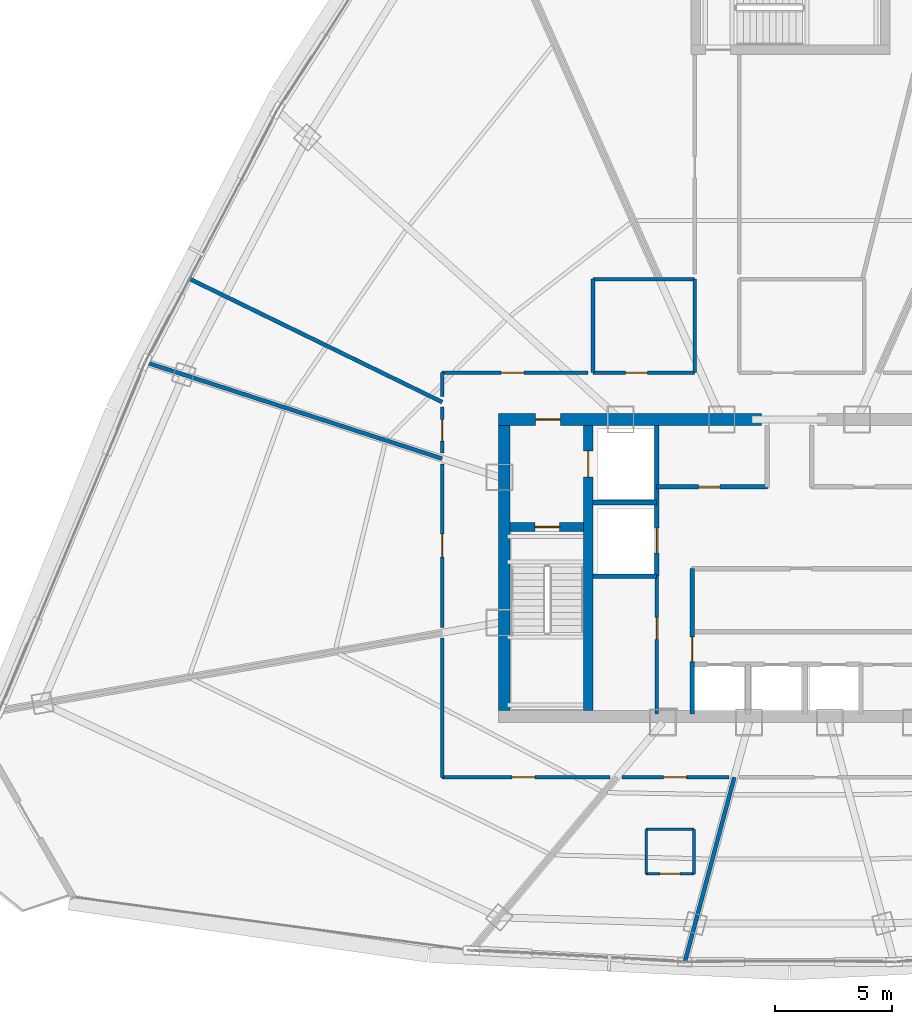
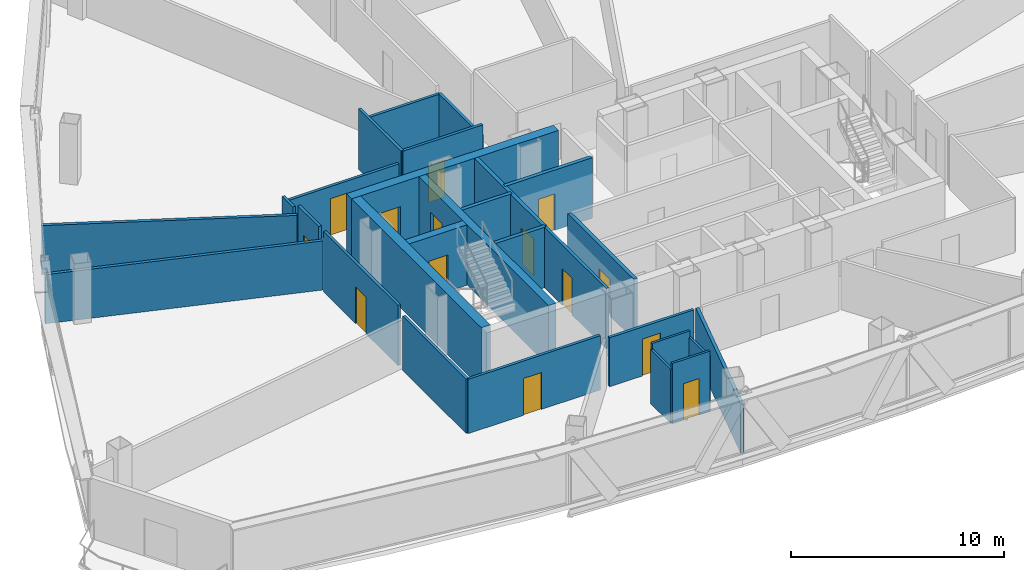
# One storey, part 30 of 37: 28 walls, 14 doors, 14 openings.
"""IFC4 building model written with IfcOpenShell, lengths in metres."""

import ifcopenshell
import ifcopenshell.guid

model = None  # the IFC model being written
_history = None  # IfcOwnerHistory: only IFC2X3 demands one
_inside = {}  # id of a spatial element -> (the spatial element, [elements in it])
_under = {}  # id of a project, library or spatial element -> (it, [spatial elements below it])
_declared = {}  # id of a project -> (the project, [libraries it declares])
_typed = {}  # id of a type object -> (the type object, [elements of that type])
_made_of = {}  # id of a material, layer set ... -> (it, [elements and type objects made of it])


def new_model(schema):
    """Start an empty IFC model of exactly this schema.

    Asked for "IFC4X3", IfcOpenShell would pick the latest addendum, in which some entities
    have other attributes; the version numbers below select the first issue.
    IFC2X3 requires an IfcOwnerHistory on every rooted entity: one is made here for all.
    """
    global model, _history
    if schema == "IFC4X3":
        model = ifcopenshell.file(schema_version=(4, 3, 0, 0))
    else:
        model = ifcopenshell.file(schema=schema)
    _inside.clear()
    _under.clear()
    _declared.clear()
    _typed.clear()
    _made_of.clear()
    _history = None
    if model.schema == "IFC2X3":
        org = make("IfcOrganization", Name="unknown")
        user = make(
            "IfcPersonAndOrganization",
            ThePerson=make("IfcPerson", FamilyName="unknown"),
            TheOrganization=org,
        )
        app = make(
            "IfcApplication",
            ApplicationDeveloper=org,
            Version="unknown",
            ApplicationFullName="unknown",
            ApplicationIdentifier="unknown",
        )
        _history = make(
            "IfcOwnerHistory",
            OwningUser=user,
            OwningApplication=app,
            ChangeAction="ADDED",
            CreationDate=0,
        )
    return model


def make(cls, **values):
    """One entity of the class cls with the attributes given. An attribute that is None is left unset."""
    return model.create_entity(
        cls, **{name: value for name, value in values.items() if value is not None}
    )


def rooted(cls, **values):
    """An entity with a GlobalId (a new one), such as an element, a storey or a relation."""
    return make(cls, GlobalId=ifcopenshell.guid.new(), OwnerHistory=_history, **values)


def si_unit(unit_type, name, prefix=None):
    """IfcSIUnit, for example si_unit("LENGTHUNIT", "METRE", prefix="MILLI")."""
    return make("IfcSIUnit", UnitType=unit_type, Prefix=prefix, Name=name)


def assignment(units):
    """IfcUnitAssignment: the units of a project."""
    return None if units is None else make("IfcUnitAssignment", Units=units)


def point(xyz):
    """IfcCartesianPoint."""
    return None if xyz is None else make("IfcCartesianPoint", Coordinates=xyz)


def direction(xyz):
    """IfcDirection."""
    return None if xyz is None else make("IfcDirection", DirectionRatios=xyz)


def frame(location, z_axis=None, x_axis=None):
    """IfcAxis2Placement3D, a coordinate frame: its origin and axes. An axis left out is left unset."""
    return make(
        "IfcAxis2Placement3D",
        Location=point(location),
        Axis=direction(z_axis),
        RefDirection=direction(x_axis),
    )


def frame_2d(location, x_axis=None):
    """IfcAxis2Placement2D, a coordinate frame in the plane: its origin and x axis."""
    return make(
        "IfcAxis2Placement2D", Location=point(location), RefDirection=direction(x_axis)
    )


def origin():
    """The frame at (0, 0, 0) with its axes left unset."""
    return frame((0.0, 0.0, 0.0))


def origin_with_axes():
    """The frame at (0, 0, 0) with the z axis (0, 0, 1) and the x axis (1, 0, 0) written out."""
    return frame((0.0, 0.0, 0.0), z_axis=(0.0, 0.0, 1.0), x_axis=(1.0, 0.0, 0.0))


def place(relative_to, where):
    """IfcLocalPlacement: puts the frame where relative to a parent placement (None: the world)."""
    return make(
        "IfcLocalPlacement", PlacementRelTo=relative_to, RelativePlacement=where
    )


def context(
    kind, dimensions, precision=None, world=None, true_north=None, identifier=None
):
    """IfcGeometricRepresentationContext, for example the 3D "Model" context."""
    return make(
        "IfcGeometricRepresentationContext",
        ContextIdentifier=identifier,
        ContextType=kind,
        CoordinateSpaceDimension=dimensions,
        Precision=precision,
        WorldCoordinateSystem=world,
        TrueNorth=true_north,
    )


def subcontext(parent, identifier, kind, view, scale=None):
    """IfcGeometricRepresentationSubContext, for example "Body" below "Model"."""
    return make(
        "IfcGeometricRepresentationSubContext",
        ContextIdentifier=identifier,
        ContextType=kind,
        ParentContext=parent,
        TargetScale=scale,
        TargetView=view,
    )


def project(units=None, contexts=None):
    """IfcProject with its units and contexts."""
    return rooted(
        "IfcProject",
        Name="project",
        RepresentationContexts=contexts,
        UnitsInContext=assignment(units),
    )


def spatial(cls, under=None, at=None, **own):
    """A site, building, storey or space (cls), placed at a placement, below another one or the project."""
    s = rooted(cls, ObjectPlacement=at, **own)
    if under is not None:
        _under.setdefault(under.id(), (under, []))[1].append(s)
    return s


def profile(cls, at=None, kind="AREA", **sizes):
    """A parametric profile (cls). Its sizes go by their IFC names, for example OverallWidth=200.0."""
    return make(cls, ProfileType=kind, Position=at, **sizes)


def rectangle(**sizes):
    """IfcRectangleProfileDef."""
    return profile("IfcRectangleProfileDef", **sizes)


def extrude(swept, where, along, depth):
    """IfcExtrudedAreaSolid: the profile swept, set in the frame where, extruded along a direction by depth."""
    return make(
        "IfcExtrudedAreaSolid",
        SweptArea=swept,
        Position=where,
        ExtrudedDirection=direction(along),
        Depth=depth,
    )


def shape(context_of_items, identifier, shape_type, items):
    """IfcShapeRepresentation: the items that make up one representation, for example the "Body"."""
    return make(
        "IfcShapeRepresentation",
        ContextOfItems=context_of_items,
        RepresentationIdentifier=identifier,
        RepresentationType=shape_type,
        Items=items,
    )


def source(mapping_origin, context_of_items, identifier, shape_type, items):
    """IfcRepresentationMap: a shape defined once, which mapped items show again and again."""
    return make(
        "IfcRepresentationMap",
        MappingOrigin=mapping_origin,
        MappedRepresentation=shape(context_of_items, identifier, shape_type, items),
    )


def transform(
    local_origin,
    x_axis=None,
    y_axis=None,
    z_axis=None,
    scale=None,
    scale2=None,
    scale3=None,
    uniform=True,
):
    """IfcCartesianTransformationOperator3D, or its non-uniform kind. x_axis, y_axis, z_axis: its Axis1, 2, 3."""
    if uniform:
        return make(
            "IfcCartesianTransformationOperator3D",
            Axis1=direction(x_axis),
            Axis2=direction(y_axis),
            LocalOrigin=point(local_origin),
            Scale=scale,
            Axis3=direction(z_axis),
        )
    return make(
        "IfcCartesianTransformationOperator3DnonUniform",
        Axis1=direction(x_axis),
        Axis2=direction(y_axis),
        LocalOrigin=point(local_origin),
        Scale=scale,
        Axis3=direction(z_axis),
        Scale2=scale2,
        Scale3=scale3,
    )


def mapped(mapping_source, mapping_target):
    """IfcMappedItem: shows the shape of a source again, moved by a transform."""
    return make(
        "IfcMappedItem", MappingSource=mapping_source, MappingTarget=mapping_target
    )


def material(Name=None, Category=None):
    """IfcMaterial."""
    return make("IfcMaterial", Name=Name, Category=Category)


def layer(
    of_material, thickness, ventilated=None, Name=None, Category=None, Priority=None
):
    """IfcMaterialLayer: one layer of a wall or slab, of a material (None: an air gap)."""
    return make(
        "IfcMaterialLayer",
        Material=of_material,
        LayerThickness=thickness,
        IsVentilated=ventilated,
        Name=Name,
        Category=Category,
        Priority=Priority,
    )


def layer_set(layers, Name=None):
    """IfcMaterialLayerSet."""
    return make("IfcMaterialLayerSet", MaterialLayers=layers, LayerSetName=Name)


def made_of(thing, what):
    """Note that an element or type object is made of a material, layer set ...; save() writes the relation."""
    if what is not None:
        _made_of.setdefault(what.id(), (what, []))[1].append(thing)
    return thing


def type_object(cls, material=None, **own):
    """A type object (cls), such as IfcWallType, which elements share."""
    return made_of(rooted(cls, **own), material)


def element(
    cls,
    number,
    at=None,
    inside=None,
    cuts=None,
    type_object=None,
    material=None,
    context=None,
    identifier="Body",
    shape_type=None,
    held_by="IfcProductDefinitionShape",
    body=None,
    shapes=None,
    **own,
):
    """One element of the class cls, such as IfcWall. Its Tag is "e" and its number.

    at: its placement. inside: the storey or other place that contains it. cuts: it is an
    opening in that element (IfcRelVoidsElement). A single representation is given by context,
    identifier, shape_type and body (its items); several are given by shapes. held_by: the class
    of the entity that holds the representations. save() writes the other relations.
    """
    e = rooted(cls, Tag="e%d" % number, ObjectPlacement=at, **own)
    if body is not None:
        shapes = [shape(context, identifier, shape_type, body)]
    if shapes is not None:
        e.Representation = make(held_by, Representations=shapes)
    if inside is not None:
        _inside.setdefault(inside.id(), (inside, []))[1].append(e)
    if cuts is not None:
        rooted(
            "IfcRelVoidsElement", RelatingBuildingElement=cuts, RelatedOpeningElement=e
        )
    if type_object is not None:
        _typed.setdefault(type_object.id(), (type_object, []))[1].append(e)
    return made_of(e, material)


def fill(opening, filler):
    """IfcRelFillsElement: the door or window that sits in an opening."""
    return rooted(
        "IfcRelFillsElement",
        RelatingOpeningElement=opening,
        RelatedBuildingElement=filler,
    )


def aggregate(whole, parts):
    """IfcRelAggregates: a whole, such as a stair, and the parts it consists of."""
    return rooted("IfcRelAggregates", RelatingObject=whole, RelatedObjects=parts)


def save(model, path):
    """Write the relations noted so far, then the file.

    IfcRelAggregates (storeys below a building ...), IfcRelContainedInSpatialStructure (elements
    in a storey), IfcRelDefinesByType, IfcRelAssociatesMaterial and IfcRelDeclares: one each for
    every whole, place, type object, material and project.
    """
    for whole, parts in _under.values():
        aggregate(whole, parts)
    for where, things in _inside.values():
        rooted(
            "IfcRelContainedInSpatialStructure",
            RelatedElements=things,
            RelatingStructure=where,
        )
    for kind, things in _typed.values():
        rooted("IfcRelDefinesByType", RelatedObjects=things, RelatingType=kind)
    for what, things in _made_of.values():
        rooted("IfcRelAssociatesMaterial", RelatedObjects=things, RelatingMaterial=what)
    for by, libraries in _declared.values():
        rooted("IfcRelDeclares", RelatingContext=by, RelatedDefinitions=libraries)
    model.write(path)


model = new_model("IFC4")

# Units and contexts
model_context = context("Model", 3, precision=1e-05, world=origin(), true_north=direction((0.0, 1.0)))
body_context = subcontext(model_context, "Body", "Model", "MODEL_VIEW")
ifc_project = project(units=[si_unit("LENGTHUNIT", "METRE"), si_unit("AREAUNIT", "SQUARE_METRE"), si_unit("VOLUMEUNIT", "CUBIC_METRE"), si_unit("PLANEANGLEUNIT", "RADIAN"), si_unit("MASSUNIT", "GRAM", prefix="KILO"), si_unit("THERMODYNAMICTEMPERATUREUNIT", "KELVIN"), si_unit("POWERUNIT", "WATT")], contexts=[model_context])

# Site, building, storey
site_placement = place(None, origin())
site = spatial("IfcSite", under=ifc_project, at=site_placement, CompositionType="ELEMENT")
building_placement = place(site_placement, origin())
building = spatial("IfcBuilding", under=site, at=building_placement, Name="Yunzhuo Pagoda Commons", CompositionType="ELEMENT")
storey_placement = place(building_placement, frame((0.0, 0.0, 251.989990234375)))
storey = spatial("IfcBuildingStorey", under=building, at=storey_placement, Name="L63", CompositionType="ELEMENT", Elevation=251.989990234375)

# Wall, opening, door
ifc_material_1 = material(Name="Concrete C50", Category="concrete")
ifc_layer_1 = layer(ifc_material_1, 0.5)
ifc_layer_set_1 = layer_set([ifc_layer_1], Name="Concrete C50")
wall_type_1 = type_object("IfcWallType", Name="W-C03 Upper Core Shear Wall 500", PredefinedType="SHEAR", material=ifc_layer_set_1)
wall_1_placement = place(storey_placement, frame((35.550048828125, 40.199951171875, 0.0), z_axis=(0.0, 0.0, 1.0), x_axis=(1.0, 0.0, 0.0)))
wall_1 = element("IfcWall", 1, at=wall_1_placement, inside=storey, type_object=wall_type_1, Name="L63 core shear wall NW", PredefinedType="SHEAR", context=body_context, shape_type="SweptSolid", body=[
    extrude(rectangle(XDim=11.25, YDim=0.5, at=frame_2d((5.625, 0.0))), origin(), (0.0, 0.0, 1.0), 3.469970703125),
])
opening_1_placement = place(wall_1_placement, frame((1.60009765625, 0.0, 0.0)))
opening_1 = element("IfcOpeningElement", 2, at=opening_1_placement, cuts=wall_1, Name="Opening D-02", PredefinedType="OPENING", context=body_context, shape_type="SweptSolid", body=[
    extrude(rectangle(XDim=1.050048828125, YDim=2.10009765625, at=frame_2d((0.52490234375, 1.050048828125))), frame((0.0, 0.260009765625, 0.0), z_axis=(0.0, -1.0, 0.0), x_axis=(1.0, 0.0, 0.0)), (0.0, 0.0, 1.0), 0.52001953125),
])
ifc_material_2 = material(Name="Galvanized fire-resisting metal leaf")
door_type_1 = type_object("IfcDoorType", Name="D-02 Firefighting Lobby & Refuge Fire Door 1050x2100", OperationType="NOTDEFINED", PredefinedType="DOOR", material=ifc_material_2)
shared_shape_1 = source(origin(), body_context, "Body", "SweptSolid", [
    extrude(rectangle(XDim=1.050048828125, YDim=2.10009765625, at=frame_2d((0.52490234375, 1.050048828125))), frame((0.0, 0.02490234375, 0.0), z_axis=(0.0, -1.0, 0.0), x_axis=(1.0, 0.0, 0.0)), (0.0, 0.0, 1.0), 0.050048828125),
])
door_1_placement = place(opening_1_placement, frame((1.050048828125, 0.0, 0.0), z_axis=(0.0, 0.0, 1.0), x_axis=(-1.0, 0.0, 0.0)))
door_1 = element("IfcDoor", 3, at=door_1_placement, inside=storey, type_object=door_type_1, Name="L63 Firefighting Lobby 1 fire door", OperationType="SINGLE_SWING_LEFT", OverallHeight=2.10009765625, OverallWidth=1.050048828125, PredefinedType="DOOR", context=body_context, shape_type="MappedRepresentation", body=[
    mapped(shared_shape_1, transform((0.0, 0.0, 0.0), scale=1.0)),
])
fill(opening_1, door_1)

# Wall
wall_2_placement = place(storey_placement, frame((35.800048828125, 27.75, 0.0), z_axis=(0.0, 0.0, 1.0), x_axis=(0.0, 1.0, 0.0)))
element("IfcWall", 4, at=wall_2_placement, inside=storey, type_object=wall_type_1, Name="L63 core shear wall W", PredefinedType="SHEAR", context=body_context, shape_type="SweptSolid", body=[
    extrude(rectangle(XDim=12.199951171875, YDim=0.5, at=frame_2d((6.10009765625, 0.0))), origin(), (0.0, 0.0, 1.0), 3.469970703125),
])

# Wall, opening, door
ifc_material_3 = material(Name="Gypsum plasterboard on acoustic stud")
ifc_layer_2 = layer(ifc_material_3, 0.14990234375)
ifc_layer_set_2 = layer_set([ifc_layer_2], Name="Gypsum plasterboard on acoustic stud")
wall_type_2 = type_object("IfcWallType", Name="W-COR3 High-Zone Rated Corridor Wall 150", PredefinedType="PARTITIONING", material=ifc_layer_set_2)
wall_3_placement = place(storey_placement, frame((42.320068359375, 27.60009765625, 0.0), z_axis=(0.0, 0.0, 1.0), x_axis=(0.0, 1.0, 0.0)))
wall_3 = element("IfcWall", 5, at=wall_3_placement, inside=storey, type_object=wall_type_2, Name="L63 interior wall IW-L63-CSWE", PredefinedType="PARTITIONING", context=body_context, shape_type="SweptSolid", body=[
    extrude(rectangle(XDim=5.89990234375, YDim=0.14990234375, at=frame_2d((2.949951171875, 0.0))), origin(), (0.0, 0.0, 1.0), 3.469970703125),
])
opening_2_placement = place(wall_3_placement, frame((3.199951171875, 0.0, 0.0)))
opening_2 = element("IfcOpeningElement", 6, at=opening_2_placement, cuts=wall_3, Name="Opening D-11", PredefinedType="OPENING", context=body_context, shape_type="SweptSolid", body=[
    extrude(rectangle(XDim=0.93994140625, YDim=2.10009765625, at=frame_2d((0.469970703125, 1.050048828125))), frame((0.0, 0.0849609375, 0.0), z_axis=(0.0, -1.0, 0.0), x_axis=(1.0, 0.0, 0.0)), (0.0, 0.0, 1.0), 0.169921875),
])
door_type_2 = type_object("IfcDoorType", Name="D-11 Accessible Washroom Fire Door 940x2100", OperationType="NOTDEFINED", PredefinedType="DOOR", material=ifc_material_2)
shared_shape_2 = source(origin(), body_context, "Body", "SweptSolid", [
    extrude(rectangle(XDim=0.93994140625, YDim=2.10009765625, at=frame_2d((0.469970703125, 1.050048828125))), frame((0.0, 0.02490234375, 0.0), z_axis=(0.0, -1.0, 0.0), x_axis=(1.0, 0.0, 0.0)), (0.0, 0.0, 1.0), 0.050048828125),
])
door_2_placement = place(opening_2_placement, origin_with_axes())
door_2 = element("IfcDoor", 7, at=door_2_placement, inside=storey, type_object=door_type_2, Name="L63 core WC door", OperationType="SINGLE_SWING_LEFT", OverallHeight=2.10009765625, OverallWidth=0.93994140625, PredefinedType="DOOR", context=body_context, shape_type="MappedRepresentation", body=[
    mapped(shared_shape_2, transform((0.0, 0.0, 0.0), scale=1.0)),
])
fill(opening_2, door_2)

wall_4_placement = place(storey_placement, frame((39.60009765625, 42.199951171875, 0.0), z_axis=(0.0, 0.0, 1.0), x_axis=(1.0, 0.0, 0.0)))
wall_4 = element("IfcWall", 8, at=wall_4_placement, inside=storey, type_object=wall_type_2, Name="L63 interior wall IW-L63-TFWS", PredefinedType="PARTITIONING", context=body_context, shape_type="SweptSolid", body=[
    extrude(rectangle(XDim=4.349853515625, YDim=0.14990234375, at=frame_2d((2.1748046875, 0.0))), origin(), (0.0, 0.0, 1.0), 3.469970703125),
])
opening_3_placement = place(wall_4_placement, frame((1.39990234375, 0.0, 0.0)))
opening_3 = element("IfcOpeningElement", 9, at=opening_3_placement, cuts=wall_4, Name="Opening D-04", PredefinedType="OPENING", context=body_context, shape_type="SweptSolid", body=[
    extrude(rectangle(XDim=0.919921875, YDim=2.10009765625, at=frame_2d((0.4599609375, 1.050048828125))), frame((0.0, 0.0849609375, 0.0), z_axis=(0.0, -1.0, 0.0), x_axis=(1.0, 0.0, 0.0)), (0.0, 0.0, 1.0), 0.169921875),
])
ifc_material_4 = material(Name="Powder-coated aluminium and timber acoustic leaf", Category="wood")
door_type_3 = type_object("IfcDoorType", Name="D-04 Bedroom & Study Interior Door 920x2100", OperationType="NOTDEFINED", PredefinedType="DOOR", material=ifc_material_4)
shared_shape_3 = source(origin(), body_context, "Body", "SweptSolid", [
    extrude(rectangle(XDim=0.919921875, YDim=2.10009765625, at=frame_2d((0.4599609375, 1.050048828125))), frame((0.0, 0.02490234375, 0.0), z_axis=(0.0, -1.0, 0.0), x_axis=(1.0, 0.0, 0.0)), (0.0, 0.0, 1.0), 0.050048828125),
])
door_3_placement = place(opening_3_placement, frame((0.919921875, 0.0, 0.0), z_axis=(0.0, 0.0, 1.0), x_axis=(-1.0, 0.0, 0.0)))
door_3 = element("IfcDoor", 10, at=door_3_placement, inside=storey, type_object=door_type_3, Name="L63 laundry door", OperationType="SINGLE_SWING_LEFT", OverallHeight=2.10009765625, OverallWidth=0.919921875, PredefinedType="DOOR", context=body_context, shape_type="MappedRepresentation", body=[
    mapped(shared_shape_3, transform((0.0, 0.0, 0.0), scale=1.0)),
])
fill(opening_3, door_3)

# Walls
wall_5_placement = place(storey_placement, frame((39.60009765625, 46.199951171875, 0.0), z_axis=(0.0, 0.0, 1.0), x_axis=(1.0, 0.0, 0.0)))
element("IfcWall", 11, at=wall_5_placement, inside=storey, type_object=wall_type_2, Name="L63 interior wall IW-L63-TFWN", PredefinedType="PARTITIONING", context=body_context, shape_type="SweptSolid", body=[
    extrude(rectangle(XDim=4.349853515625, YDim=0.14990234375, at=frame_2d((2.1748046875, 0.0))), origin(), (0.0, 0.0, 1.0), 2.820068359375),
])
wall_6_placement = place(storey_placement, frame((39.60009765625, 42.199951171875, 0.0), z_axis=(0.0, 0.0, 1.0), x_axis=(0.0, 1.0, 0.0)))
element("IfcWall", 12, at=wall_6_placement, inside=storey, type_object=wall_type_2, Name="L63 interior wall IW-L63-TFWW", PredefinedType="PARTITIONING", context=body_context, shape_type="SweptSolid", body=[
    extrude(rectangle(XDim=4.0, YDim=0.14990234375, at=frame_2d((2.0, 0.0))), origin(), (0.0, 0.0, 1.0), 3.469970703125),
])
wall_7_placement = place(storey_placement, frame((43.949951171875, 42.199951171875, 0.0), z_axis=(0.0, 0.0, 1.0), x_axis=(0.0, 1.0, 0.0)))
element("IfcWall", 13, at=wall_7_placement, inside=storey, type_object=wall_type_2, Name="L63 interior wall IW-L63-TFWE", PredefinedType="PARTITIONING", context=body_context, shape_type="SweptSolid", body=[
    extrude(rectangle(XDim=4.0, YDim=0.14990234375, at=frame_2d((2.0, 0.0))), origin(), (0.0, 0.0, 1.0), 2.820068359375),
])
wall_8_placement = place(storey_placement, frame((33.14990234375, 24.89990234375, 0.0), z_axis=(0.0, 0.0, 1.0), x_axis=(0.0, 1.0, 0.0)))
element("IfcWall", 14, at=wall_8_placement, inside=storey, type_object=wall_type_2, Name="L63 interior wall IW-L63-CWL01", PredefinedType="PARTITIONING", context=body_context, shape_type="SweptSolid", body=[
    extrude(rectangle(XDim=5.958251953125, YDim=0.14990234375, at=frame_2d((2.97900390625, 0.0))), origin(), (0.0, 0.0, 1.0), 3.1201171875),
])

# Wall, opening, door
wall_9_placement = place(storey_placement, frame((33.14990234375, 31.30126953125, 0.0), z_axis=(0.0, 0.0, 1.0), x_axis=(0.0, 1.0, 0.0)))
wall_9 = element("IfcWall", 15, at=wall_9_placement, inside=storey, type_object=wall_type_2, Name="L63 interior wall IW-L63-CWL02", PredefinedType="PARTITIONING", context=body_context, shape_type="SweptSolid", body=[
    extrude(rectangle(XDim=7.004150390625, YDim=0.14990234375, at=frame_2d((3.501953125, 0.0))), origin(), (0.0, 0.0, 1.0), 3.469970703125),
])
opening_4_placement = place(wall_9_placement, frame((3.027099609375, 0.0, 0.0)))
opening_4 = element("IfcOpeningElement", 16, at=opening_4_placement, cuts=wall_9, Name="Opening D-08", PredefinedType="OPENING", context=body_context, shape_type="SweptSolid", body=[
    extrude(rectangle(XDim=0.97998046875, YDim=2.1201171875, at=frame_2d((0.489990234375, 1.06005859375))), frame((0.0, 0.0849609375, 0.0), z_axis=(0.0, -1.0, 0.0), x_axis=(1.0, 0.0, 0.0)), (0.0, 0.0, 1.0), 0.169921875),
])
door_type_4 = type_object("IfcDoorType", Name="D-08 High-Zone Suite Entrance Fire Door 980x2120", OperationType="NOTDEFINED", PredefinedType="DOOR", material=ifc_material_2)
shared_shape_4 = source(origin(), body_context, "Body", "SweptSolid", [
    extrude(rectangle(XDim=0.97998046875, YDim=2.1201171875, at=frame_2d((0.489990234375, 1.06005859375))), frame((0.0, 0.02490234375, 0.0), z_axis=(0.0, -1.0, 0.0), x_axis=(1.0, 0.0, 0.0)), (0.0, 0.0, 1.0), 0.050048828125),
])
door_4_placement = place(opening_4_placement, origin_with_axes())
door_4 = element("IfcDoor", 17, at=door_4_placement, inside=storey, type_object=door_type_4, Name="L63 unit 07 entrance door", OperationType="SINGLE_SWING_LEFT", OverallHeight=2.1201171875, OverallWidth=0.97998046875, PredefinedType="DOOR", context=body_context, shape_type="MappedRepresentation", body=[
    mapped(shared_shape_4, transform((0.0, 0.0, 0.0), scale=1.0)),
])
fill(opening_4, door_4)

wall_10_placement = place(storey_placement, frame((33.14990234375, 38.75634765625, 0.0), z_axis=(0.0, 0.0, 1.0), x_axis=(0.0, 1.0, 0.0)))
wall_10 = element("IfcWall", 18, at=wall_10_placement, inside=storey, type_object=wall_type_2, Name="L63 interior wall IW-L63-CWL03", PredefinedType="PARTITIONING", context=body_context, shape_type="SweptSolid", body=[
    extrude(rectangle(XDim=1.966552734375, YDim=0.14990234375, at=frame_2d((0.9833984375, 0.0))), origin(), (0.0, 0.0, 1.0), 3.469970703125),
])
opening_5_placement = place(wall_10_placement, frame((0.517578125, 0.0, 0.0)))
opening_5 = element("IfcOpeningElement", 19, at=opening_5_placement, cuts=wall_10, Name="Opening D-04", PredefinedType="OPENING", context=body_context, shape_type="SweptSolid", body=[
    extrude(rectangle(XDim=0.919921875, YDim=2.10009765625, at=frame_2d((0.4599609375, 1.050048828125))), frame((0.0, 0.0849609375, 0.0), z_axis=(0.0, -1.0, 0.0), x_axis=(1.0, 0.0, 0.0)), (0.0, 0.0, 1.0), 0.169921875),
])
door_5_placement = place(opening_5_placement, origin_with_axes())
door_5 = element("IfcDoor", 20, at=door_5_placement, inside=storey, type_object=door_type_3, Name="L63 seminar room 06 door", OperationType="SINGLE_SWING_RIGHT", OverallHeight=2.10009765625, OverallWidth=0.919921875, PredefinedType="DOOR", context=body_context, shape_type="MappedRepresentation", body=[
    mapped(shared_shape_3, transform((0.0, 0.0, 0.0), scale=1.0)),
])
fill(opening_5, door_5)

# Wall
wall_11_placement = place(storey_placement, frame((33.14990234375, 41.1875, 0.0), z_axis=(0.0, 0.0, 1.0), x_axis=(0.0, 1.0, 0.0)))
element("IfcWall", 21, at=wall_11_placement, inside=storey, type_object=wall_type_2, Name="L63 interior wall IW-L63-CWL04", PredefinedType="PARTITIONING", context=body_context, shape_type="SweptSolid", body=[
    extrude(rectangle(XDim=1.012451171875, YDim=0.14990234375, at=frame_2d((0.50634765625, 0.0))), origin(), (0.0, 0.0, 1.0), 3.1201171875),
])

# Wall, opening, door
wall_12_placement = place(storey_placement, frame((33.14990234375, 42.199951171875, 0.0), z_axis=(0.0, 0.0, 1.0), x_axis=(1.0, 0.0, 0.0)))
wall_12 = element("IfcWall", 22, at=wall_12_placement, inside=storey, type_object=wall_type_2, Name="L63 interior wall IW-L63-CWL05", PredefinedType="PARTITIONING", context=body_context, shape_type="SweptSolid", body=[
    extrude(rectangle(XDim=6.22998046875, YDim=0.14990234375, at=frame_2d((3.114990234375, 0.0))), origin(), (0.0, 0.0, 1.0), 2.820068359375),
])
opening_6_placement = place(wall_12_placement, frame((2.52001953125, 0.0, 0.0)))
opening_6 = element("IfcOpeningElement", 23, at=opening_6_placement, cuts=wall_12, Name="Opening D-08", PredefinedType="OPENING", context=body_context, shape_type="SweptSolid", body=[
    extrude(rectangle(XDim=0.97998046875, YDim=2.1201171875, at=frame_2d((0.489990234375, 1.06005859375))), frame((0.0, 0.0849609375, 0.0), z_axis=(0.0, -1.0, 0.0), x_axis=(1.0, 0.0, 0.0)), (0.0, 0.0, 1.0), 0.169921875),
])
door_6_placement = place(opening_6_placement, origin_with_axes())
door_6 = element("IfcDoor", 24, at=door_6_placement, inside=storey, type_object=door_type_4, Name="L63 Resident Co-Living Commons Hall door", OperationType="SINGLE_SWING_LEFT", OverallHeight=2.1201171875, OverallWidth=0.97998046875, PredefinedType="DOOR", context=body_context, shape_type="MappedRepresentation", body=[
    mapped(shared_shape_4, transform((0.0, 0.0, 0.0), scale=1.0)),
])
fill(opening_6, door_6)

wall_13_placement = place(storey_placement, frame((45.414306640625, 24.89990234375, 0.0), z_axis=(0.0, 0.0, 1.0), x_axis=(-1.0, 0.0, 0.0)))
wall_13 = element("IfcWall", 25, at=wall_13_placement, inside=storey, type_object=wall_type_2, Name="L63 interior wall IW-L63-CWL16", PredefinedType="PARTITIONING", context=body_context, shape_type="SweptSolid", body=[
    extrude(rectangle(XDim=4.57861328125, YDim=0.14990234375, at=frame_2d((2.289306640625, 0.0))), origin(), (0.0, 0.0, 1.0), 2.820068359375),
])
opening_7_placement = place(wall_13_placement, frame((1.810302734375, 0.0, 0.0)))
opening_7 = element("IfcOpeningElement", 26, at=opening_7_placement, cuts=wall_13, Name="Opening D-08", PredefinedType="OPENING", context=body_context, shape_type="SweptSolid", body=[
    extrude(rectangle(XDim=0.97998046875, YDim=2.1201171875, at=frame_2d((0.489990234375, 1.06005859375))), frame((0.0, 0.0849609375, 0.0), z_axis=(0.0, -1.0, 0.0), x_axis=(1.0, 0.0, 0.0)), (0.0, 0.0, 1.0), 0.169921875),
])
door_7_placement = place(opening_7_placement, origin_with_axes())
door_7 = element("IfcDoor", 27, at=door_7_placement, inside=storey, type_object=door_type_4, Name="L63 unit 09 entrance door", OperationType="SINGLE_SWING_LEFT", OverallHeight=2.1201171875, OverallWidth=0.97998046875, PredefinedType="DOOR", context=body_context, shape_type="MappedRepresentation", body=[
    mapped(shared_shape_4, transform((0.0, 0.0, 0.0), scale=1.0)),
])
fill(opening_7, door_7)

wall_14_placement = place(storey_placement, frame((40.32861328125, 24.89990234375, 0.0), z_axis=(0.0, 0.0, 1.0), x_axis=(-1.0, 0.0, 0.0)))
wall_14 = element("IfcWall", 28, at=wall_14_placement, inside=storey, type_object=wall_type_2, Name="L63 interior wall IW-L63-CWL17", PredefinedType="PARTITIONING", context=body_context, shape_type="SweptSolid", body=[
    extrude(rectangle(XDim=7.1787109375, YDim=0.14990234375, at=frame_2d((3.58935546875, 0.0))), origin(), (0.0, 0.0, 1.0), 3.1201171875),
])
opening_8_placement = place(wall_14_placement, frame((3.20068359375, 0.0, 0.0)))
opening_8 = element("IfcOpeningElement", 29, at=opening_8_placement, cuts=wall_14, Name="Opening D-08", PredefinedType="OPENING", context=body_context, shape_type="SweptSolid", body=[
    extrude(rectangle(XDim=0.97998046875, YDim=2.1201171875, at=frame_2d((0.489990234375, 1.06005859375))), frame((0.0, 0.0849609375, 0.0), z_axis=(0.0, -1.0, 0.0), x_axis=(1.0, 0.0, 0.0)), (0.0, 0.0, 1.0), 0.169921875),
])
door_8_placement = place(opening_8_placement, origin_with_axes())
door_8 = element("IfcDoor", 30, at=door_8_placement, inside=storey, type_object=door_type_4, Name="L63 unit 08 entrance door", OperationType="SINGLE_SWING_RIGHT", OverallHeight=2.1201171875, OverallWidth=0.97998046875, PredefinedType="DOOR", context=body_context, shape_type="MappedRepresentation", body=[
    mapped(shared_shape_4, transform((0.0, 0.0, 0.0), scale=1.0)),
])
fill(opening_8, door_8)

ifc_layer_3 = layer(ifc_material_3, 0.1201171875)
ifc_layer_set_3 = layer_set([ifc_layer_3], Name="Gypsum plasterboard on acoustic stud")
wall_type_3 = type_object("IfcWallType", Name="W-PRT1 Suite & Bathroom Partition 120", PredefinedType="PARTITIONING", material=ifc_layer_set_3)
wall_15_placement = place(storey_placement, frame((41.873046875, 20.777099609375, 0.0), z_axis=(0.0, 0.0, 1.0), x_axis=(1.0, 0.0, 0.0)))
wall_15 = element("IfcWall", 31, at=wall_15_placement, inside=storey, type_object=wall_type_3, Name="L63 interior wall IW-L63-B09S", PredefinedType="PARTITIONING", context=body_context, shape_type="SweptSolid", body=[
    extrude(rectangle(XDim=2.050048828125, YDim=0.1201171875, at=frame_2d((1.02490234375, 0.0))), origin(), (0.0, 0.0, 1.0), 3.469970703125),
])
opening_9_placement = place(wall_15_placement, frame((0.60009765625, 0.0, 0.0)))
opening_9 = element("IfcOpeningElement", 32, at=opening_9_placement, cuts=wall_15, Name="Opening D-05", PredefinedType="OPENING", context=body_context, shape_type="SweptSolid", body=[
    extrude(rectangle(XDim=0.85009765625, YDim=2.10009765625, at=frame_2d((0.425048828125, 1.050048828125))), frame((0.0, 0.070068359375, 0.0), z_axis=(0.0, -1.0, 0.0), x_axis=(1.0, 0.0, 0.0)), (0.0, 0.0, 1.0), 0.14013671875),
])
door_type_5 = type_object("IfcDoorType", Name="D-05 En-Suite Bathroom Door 850x2100", OperationType="NOTDEFINED", PredefinedType="DOOR", material=ifc_material_4)
shared_shape_5 = source(origin(), body_context, "Body", "SweptSolid", [
    extrude(rectangle(XDim=0.85009765625, YDim=2.10009765625, at=frame_2d((0.425048828125, 1.050048828125))), frame((0.0, 0.02490234375, 0.0), z_axis=(0.0, -1.0, 0.0), x_axis=(1.0, 0.0, 0.0)), (0.0, 0.0, 1.0), 0.050048828125),
])
door_9_placement = place(opening_9_placement, frame((0.85009765625, 0.0, 0.0), z_axis=(0.0, 0.0, 1.0), x_axis=(-1.0, 0.0, 0.0)))
door_9 = element("IfcDoor", 33, at=door_9_placement, inside=storey, type_object=door_type_5, Name="L63 unit 09 bathroom door", OperationType="SINGLE_SWING_LEFT", OverallHeight=2.10009765625, OverallWidth=0.85009765625, PredefinedType="DOOR", context=body_context, shape_type="MappedRepresentation", body=[
    mapped(shared_shape_5, transform((0.0, 0.0, 0.0), scale=1.0)),
])
fill(opening_9, door_9)

# Walls
wall_16_placement = place(storey_placement, frame((43.923095703125, 20.777099609375, 0.0), z_axis=(0.0, 0.0, 1.0), x_axis=(0.0, 1.0, 0.0)))
element("IfcWall", 34, at=wall_16_placement, inside=storey, type_object=wall_type_3, Name="L63 interior wall IW-L63-B09E", PredefinedType="PARTITIONING", context=body_context, shape_type="SweptSolid", body=[
    extrude(rectangle(XDim=1.89990234375, YDim=0.1201171875, at=frame_2d((0.949951171875, 0.0))), origin(), (0.0, 0.0, 1.0), 3.1201171875),
])
wall_17_placement = place(storey_placement, frame((43.923095703125, 22.677001953125, 0.0), z_axis=(0.0, 0.0, 1.0), x_axis=(-1.0, 0.0, 0.0)))
element("IfcWall", 35, at=wall_17_placement, inside=storey, type_object=wall_type_3, Name="L63 interior wall IW-L63-B09N", PredefinedType="PARTITIONING", context=body_context, shape_type="SweptSolid", body=[
    extrude(rectangle(XDim=2.050048828125, YDim=0.1201171875, at=frame_2d((1.02490234375, 0.0))), origin(), (0.0, 0.0, 1.0), 3.469970703125),
])
wall_18_placement = place(storey_placement, frame((41.873046875, 22.677001953125, 0.0), z_axis=(0.0, 0.0, 1.0), x_axis=(0.0, -1.0, 0.0)))
element("IfcWall", 36, at=wall_18_placement, inside=storey, type_object=wall_type_3, Name="L63 interior wall IW-L63-B09W", PredefinedType="PARTITIONING", context=body_context, shape_type="SweptSolid", body=[
    extrude(rectangle(XDim=1.89990234375, YDim=0.1201171875, at=frame_2d((0.949951171875, 0.0))), origin(), (0.0, 0.0, 1.0), 3.1201171875),
])
ifc_layer_4 = layer(ifc_material_3, 0.169921875)
ifc_layer_set_4 = layer_set([ifc_layer_4], Name="Gypsum plasterboard on acoustic stud")
wall_type_4 = type_object("IfcWallType", Name="W-PRT4 High-Zone Demising Wall 170", PredefinedType="PARTITIONING", material=ifc_layer_set_4)
wall_19_placement = place(storey_placement, frame((33.14990234375, 40.94287109375, 0.0), z_axis=(0.0, 0.0, 1.0), x_axis=(-0.89879494126, 0.438369311842, 0.0)))
element("IfcWall", 37, at=wall_19_placement, inside=storey, type_object=wall_type_4, Name="L63 interior wall IW-L63-RAD06", PredefinedType="PARTITIONING", context=body_context, shape_type="SweptSolid", body=[
    extrude(rectangle(XDim=12.04296875, YDim=0.169921875, at=frame_2d((6.021484375, 0.0))), origin(), (0.0, 0.0, 1.0), 2.820068359375),
])
wall_20_placement = place(storey_placement, frame((33.14990234375, 38.525146484375, 0.0), z_axis=(0.0, 0.0, 1.0), x_axis=(-0.951055435747, 0.30902031994, 0.0)))
element("IfcWall", 38, at=wall_20_placement, inside=storey, type_object=wall_type_4, Name="L63 interior wall IW-L63-RAD07", PredefinedType="PARTITIONING", context=body_context, shape_type="SweptSolid", body=[
    extrude(rectangle(XDim=13.349365234375, YDim=0.169921875, at=frame_2d((6.6748046875, 0.0))), origin(), (0.0, 0.0, 1.0), 2.820068359375),
])
wall_21_placement = place(storey_placement, frame((45.64208984375, 24.89990234375, 0.0), z_axis=(0.0, 0.0, 1.0), x_axis=(-0.258833622746, -0.965921920103, 0.0)))
element("IfcWall", 39, at=wall_21_placement, inside=storey, type_object=wall_type_4, Name="L63 interior wall IW-L63-RAD10", PredefinedType="PARTITIONING", context=body_context, shape_type="SweptSolid", body=[
    extrude(rectangle(XDim=8.174072265625, YDim=0.169921875, at=frame_2d((4.0869140625, 0.0))), origin(), (0.0, 0.0, 1.0), 2.820068359375),
])

# Wall, opening, door
ifc_material_5 = material(Name="Concrete C60", Category="concrete")
ifc_layer_5 = layer(ifc_material_5, 0.39990234375)
ifc_layer_set_5 = layer_set([ifc_layer_5], Name="Concrete C60")
wall_type_5 = type_object("IfcWallType", Name="W-S01 Internal Core Shear Web 400", PredefinedType="SHEAR", material=ifc_layer_set_5)
wall_22_placement = place(storey_placement, frame((39.39990234375, 27.75, 0.0), z_axis=(0.0, 0.0, 1.0), x_axis=(0.0, 1.0, 0.0)))
wall_22 = element("IfcWall", 40, at=wall_22_placement, inside=storey, type_object=wall_type_5, Name="L63 core shear wall WEBW", PredefinedType="SHEAR", context=body_context, shape_type="SweptSolid", body=[
    extrude(rectangle(XDim=12.199951171875, YDim=0.39990234375, at=frame_2d((6.10009765625, 0.0))), origin(), (0.0, 0.0, 1.0), 3.469970703125),
])
opening_10_placement = place(wall_22_placement, frame((10.0, 0.0, 0.0)))
opening_10 = element("IfcOpeningElement", 41, at=opening_10_placement, cuts=wall_22, Name="Opening LD-01", PredefinedType="OPENING", context=body_context, shape_type="SweptSolid", body=[
    extrude(rectangle(XDim=1.10009765625, YDim=2.10009765625, at=frame_2d((0.550048828125, 1.050048828125))), frame((0.0, 0.2099609375, 0.0), z_axis=(0.0, -1.0, 0.0), x_axis=(1.0, 0.0, 0.0)), (0.0, 0.0, 1.0), 0.419921875),
])
door_type_6 = type_object("IfcDoorType", Name="LD-01 Firefighting Lift Landing Door 1100x2100", OperationType="DOUBLE_DOOR_SLIDING", PredefinedType="DOOR", material=ifc_material_2)
shared_shape_6 = source(origin(), body_context, "Body", "SweptSolid", [
    extrude(rectangle(XDim=1.10009765625, YDim=2.10009765625, at=frame_2d((0.550048828125, 1.050048828125))), frame((0.0, 0.02490234375, 0.0), z_axis=(0.0, -1.0, 0.0), x_axis=(1.0, 0.0, 0.0)), (0.0, 0.0, 1.0), 0.050048828125),
])
door_10_placement = place(opening_10_placement, frame((1.10009765625, 0.0, 0.0), z_axis=(0.0, 0.0, 1.0), x_axis=(-1.0, 0.0, 0.0)))
door_10 = element("IfcDoor", 42, at=door_10_placement, inside=storey, type_object=door_type_6, Name="L63 Firefighting lift FL-1 landing door", OperationType="DOUBLE_DOOR_SLIDING", OverallHeight=2.10009765625, OverallWidth=1.10009765625, PredefinedType="DOOR", context=body_context, shape_type="MappedRepresentation", body=[
    mapped(shared_shape_6, transform((0.0, 0.0, 0.0), scale=1.0)),
])
fill(opening_10, door_10)

wall_23_placement = place(storey_placement, frame((36.050048828125, 35.60009765625, 0.0), z_axis=(0.0, 0.0, 1.0), x_axis=(1.0, 0.0, 0.0)))
wall_23 = element("IfcWall", 43, at=wall_23_placement, inside=storey, type_object=wall_type_5, Name="L63 core shear wall STW", PredefinedType="SHEAR", context=body_context, shape_type="SweptSolid", body=[
    extrude(rectangle(XDim=3.14990234375, YDim=0.39990234375, at=frame_2d((1.574951171875, 0.0))), origin(), (0.0, 0.0, 1.0), 3.469970703125),
])
opening_11_placement = place(wall_23_placement, frame((1.070068359375, 0.0, 0.0)))
opening_11 = element("IfcOpeningElement", 44, at=opening_11_placement, cuts=wall_23, Name="Opening D-01", PredefinedType="OPENING", context=body_context, shape_type="SweptSolid", body=[
    extrude(rectangle(XDim=1.050048828125, YDim=2.10009765625, at=frame_2d((0.52490234375, 1.050048828125))), frame((0.0, 0.2099609375, 0.0), z_axis=(0.0, -1.0, 0.0), x_axis=(1.0, 0.0, 0.0)), (0.0, 0.0, 1.0), 0.419921875),
])
door_type_7 = type_object("IfcDoorType", Name="D-01 Smokeproof Stair Fire Door 1050x2100", OperationType="NOTDEFINED", PredefinedType="DOOR", material=ifc_material_2)
door_11_placement = place(opening_11_placement, frame((1.050048828125, 0.0, 0.0), z_axis=(0.0, 0.0, 1.0), x_axis=(-1.0, 0.0, 0.0)))
door_11 = element("IfcDoor", 45, at=door_11_placement, inside=storey, type_object=door_type_7, Name="L63 Stair ST1 fire door", OperationType="SINGLE_SWING_LEFT", OverallHeight=2.10009765625, OverallWidth=1.050048828125, PredefinedType="DOOR", context=body_context, shape_type="MappedRepresentation", body=[
    mapped(shared_shape_1, transform((0.0, 0.0, 0.0), scale=1.0)),
])
fill(opening_11, door_11)

ifc_material_6 = material(Name="Concrete C40", Category="concrete")
ifc_layer_6 = layer(ifc_material_6, 0.199951171875)
ifc_layer_set_6 = layer_set([ifc_layer_6], Name="Concrete C40")
wall_type_6 = type_object("IfcWallType", Name="W-SHF Shaft & Stair Enclosure Wall 200", PredefinedType="SOLIDWALL", material=ifc_layer_set_6)
wall_24_placement = place(storey_placement, frame((42.320068359375, 33.5, 0.0), z_axis=(0.0, 0.0, 1.0), x_axis=(0.0, 1.0, 0.0)))
wall_24 = element("IfcWall", 46, at=wall_24_placement, inside=storey, type_object=wall_type_6, Name="L63 interior wall IW-L63-FL1E", PredefinedType="SOLIDWALL", context=body_context, shape_type="SweptSolid", body=[
    extrude(rectangle(XDim=6.449951171875, YDim=0.199951171875, at=frame_2d((3.22509765625, 0.0))), origin(), (0.0, 0.0, 1.0), 3.469970703125),
])
opening_12_placement = place(wall_24_placement, frame((1.0, 0.0, 0.0)))
opening_12 = element("IfcOpeningElement", 47, at=opening_12_placement, cuts=wall_24, Name="Opening LD-02", PredefinedType="OPENING", context=body_context, shape_type="SweptSolid", body=[
    extrude(rectangle(XDim=1.050048828125, YDim=2.10009765625, at=frame_2d((0.52490234375, 1.050048828125))), frame((0.0, 0.10986328125, 0.0), z_axis=(0.0, -1.0, 0.0), x_axis=(1.0, 0.0, 0.0)), (0.0, 0.0, 1.0), 0.219970703125),
])
door_type_8 = type_object("IfcDoorType", Name="LD-02 Passenger Lift Landing Door 1050x2100", OperationType="DOUBLE_DOOR_SLIDING", PredefinedType="DOOR", material=ifc_material_2)
door_12_placement = place(opening_12_placement, origin_with_axes())
door_12 = element("IfcDoor", 48, at=door_12_placement, inside=storey, type_object=door_type_8, Name="L63 Service lift SL-1 landing door", OperationType="DOUBLE_DOOR_SLIDING", OverallHeight=2.10009765625, OverallWidth=1.050048828125, PredefinedType="DOOR", context=body_context, shape_type="MappedRepresentation", body=[
    mapped(shared_shape_1, transform((0.0, 0.0, 0.0), scale=1.0)),
])
fill(opening_12, door_12)

# Walls
for number, where, z_axis, x_axis, name in (
    (49, (39.60009765625, 36.64990234375, 0.0), (0.0, 0.0, 1.0), (1.0, 0.0, 0.0), "L63 interior wall IW-L63-FL1S"),
    (50, (39.60009765625, 33.5, 0.0), (0.0, 0.0, 1.0), (1.0, 0.0, 0.0), "L63 interior wall IW-L63-SL1S"),
):
    element("IfcWall", number, at=place(storey_placement, frame(where, z_axis=z_axis, x_axis=x_axis)), inside=storey, type_object=wall_type_6, Name=name, PredefinedType="SOLIDWALL", context=body_context, shape_type="SweptSolid", body=[
        extrude(rectangle(XDim=2.719970703125, YDim=0.199951171875, at=frame_2d((1.35986328125, 0.0))), origin(), (0.0, 0.0, 1.0), 3.469970703125),
    ])

# Wall, opening, door
wall_25_placement = place(storey_placement, frame((42.320068359375, 37.320068359375, 0.0), z_axis=(0.0, 0.0, 1.0), x_axis=(1.0, 0.0, 0.0)))
wall_25 = element("IfcWall", 51, at=wall_25_placement, inside=storey, type_object=wall_type_6, Name="L63 interior wall IW-L63-LBNW", PredefinedType="SOLIDWALL", context=body_context, shape_type="SweptSolid", body=[
    extrude(rectangle(XDim=4.72998046875, YDim=0.199951171875, at=frame_2d((2.364990234375, 0.0))), origin(), (0.0, 0.0, 1.0), 3.469970703125),
])
opening_13_placement = place(wall_25_placement, frame((1.800048828125, 0.0, 0.0)))
opening_13 = element("IfcOpeningElement", 52, at=opening_13_placement, cuts=wall_25, Name="Opening D-03", PredefinedType="OPENING", context=body_context, shape_type="SweptSolid", body=[
    extrude(rectangle(XDim=0.89990234375, YDim=2.10009765625, at=frame_2d((0.449951171875, 1.050048828125))), frame((0.0, 0.10986328125, 0.0), z_axis=(0.0, -1.0, 0.0), x_axis=(1.0, 0.0, 0.0)), (0.0, 0.0, 1.0), 0.219970703125),
])
door_type_9 = type_object("IfcDoorType", Name="D-03 Core Service Fire Door 900x2100", OperationType="NOTDEFINED", PredefinedType="DOOR", material=ifc_material_2)
shared_shape_7 = source(origin(), body_context, "Body", "SweptSolid", [
    extrude(rectangle(XDim=0.89990234375, YDim=2.10009765625, at=frame_2d((0.449951171875, 1.050048828125))), frame((0.0, 0.02490234375, 0.0), z_axis=(0.0, -1.0, 0.0), x_axis=(1.0, 0.0, 0.0)), (0.0, 0.0, 1.0), 0.050048828125),
])
door_13_placement = place(opening_13_placement, frame((0.89990234375, 0.0, 0.0), z_axis=(0.0, 0.0, 1.0), x_axis=(-1.0, 0.0, 0.0)))
door_13 = element("IfcDoor", 53, at=door_13_placement, inside=storey, type_object=door_type_9, Name="L63 core west store door", OperationType="SINGLE_SWING_LEFT", OverallHeight=2.10009765625, OverallWidth=0.89990234375, PredefinedType="DOOR", context=body_context, shape_type="MappedRepresentation", body=[
    mapped(shared_shape_7, transform((0.0, 0.0, 0.0), scale=1.0)),
])
fill(opening_13, door_13)

wall_26_placement = place(storey_placement, frame((43.85009765625, 27.60009765625, 0.0), z_axis=(0.0, 0.0, 1.0), x_axis=(0.0, 1.0, 0.0)))
wall_26 = element("IfcWall", 54, at=wall_26_placement, inside=storey, type_object=wall_type_6, Name="L63 interior wall IW-L63-PLMW", PredefinedType="SOLIDWALL", context=body_context, shape_type="SweptSolid", body=[
    extrude(rectangle(XDim=6.219970703125, YDim=0.199951171875, at=frame_2d((3.10986328125, 0.0))), origin(), (0.0, 0.0, 1.0), 3.469970703125),
])
opening_14_placement = place(wall_26_placement, frame((2.25, 0.0, 0.0)))
opening_14 = element("IfcOpeningElement", 55, at=opening_14_placement, cuts=wall_26, Name="Opening D-02", PredefinedType="OPENING", context=body_context, shape_type="SweptSolid", body=[
    extrude(rectangle(XDim=1.050048828125, YDim=2.10009765625, at=frame_2d((0.52490234375, 1.050048828125))), frame((0.0, 0.10986328125, 0.0), z_axis=(0.0, -1.0, 0.0), x_axis=(1.0, 0.0, 0.0)), (0.0, 0.0, 1.0), 0.219970703125),
])
door_14_placement = place(opening_14_placement, frame((1.050048828125, 0.0, 0.0), z_axis=(0.0, 0.0, 1.0), x_axis=(-1.0, 0.0, 0.0)))
door_14 = element("IfcDoor", 56, at=door_14_placement, inside=storey, type_object=door_type_1, Name="L63 High-bank hall west door", OperationType="SINGLE_SWING_LEFT", OverallHeight=2.10009765625, OverallWidth=1.050048828125, PredefinedType="DOOR", context=body_context, shape_type="MappedRepresentation", body=[
    mapped(shared_shape_1, transform((0.0, 0.0, 0.0), scale=1.0)),
])
fill(opening_14, door_14)

save(model, "model.ifc")
